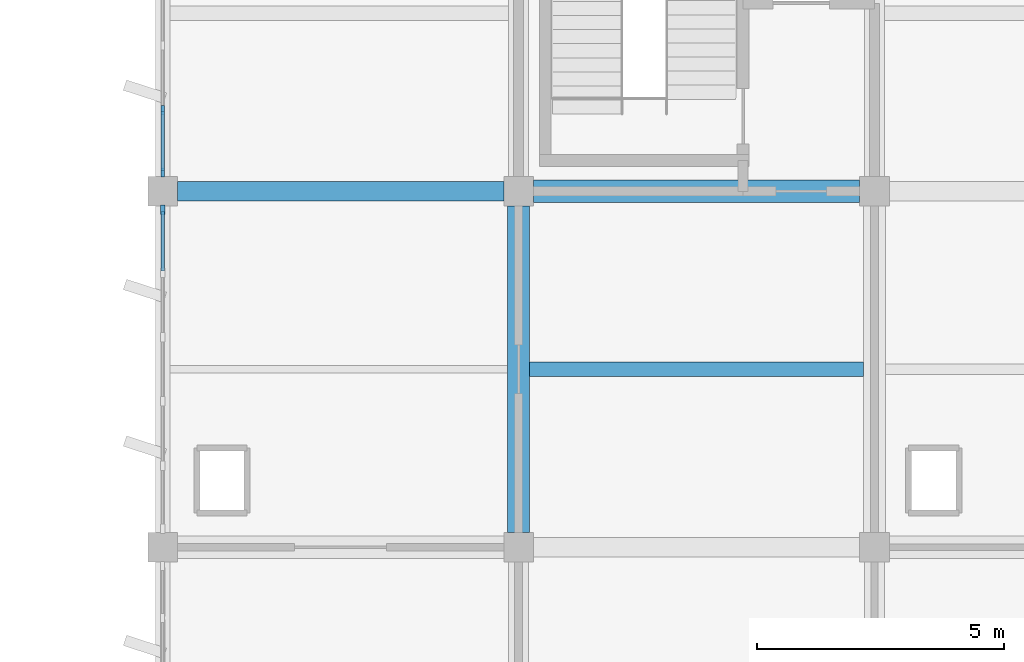
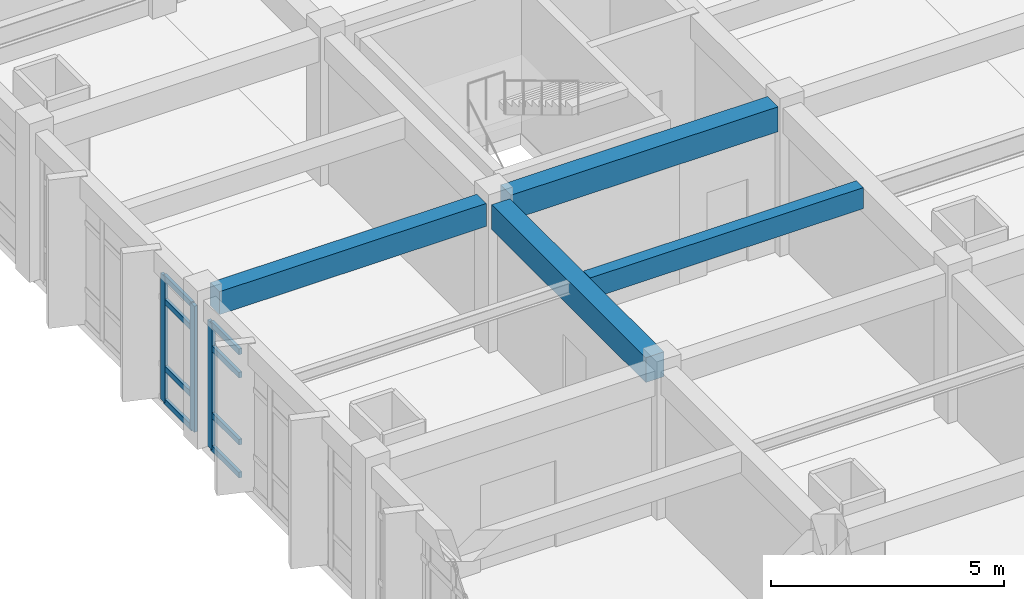
# One storey, part 18 of 62: 11 members, 4 beams, 2 elements without a shape of their own.
"""IFC4 building model written with IfcOpenShell, lengths in metres."""

from ifc_helpers import new_model, si_unit, direction, frame, origin, origin_2d, place, context, subcontext, project, spatial, rectangle, extrude, material, layer, layer_set, material_profile, profile_set, type_object, element, aggregate, save


model = new_model("IFC4")

# Units and contexts
model_context = context("Model", 3, precision=1e-05, world=origin(), true_north=direction((0.0, 1.0)))
body_context = subcontext(model_context, "Body", "Model", "MODEL_VIEW")
ifc_project = project(units=[si_unit("LENGTHUNIT", "METRE"), si_unit("AREAUNIT", "SQUARE_METRE"), si_unit("VOLUMEUNIT", "CUBIC_METRE"), si_unit("PLANEANGLEUNIT", "RADIAN"), si_unit("MASSUNIT", "GRAM", prefix="KILO")], contexts=[model_context])

# Site, building, storey
site_placement = place(None, origin())
site = spatial("IfcSite", under=ifc_project, at=site_placement, CompositionType="ELEMENT")
building_placement = place(site_placement, origin())
building = spatial("IfcBuilding", under=site, at=building_placement, Name="Kavelor Marine Aquarium", CompositionType="ELEMENT")
storey_placement = place(building_placement, frame((0.0, 0.0, 13.5)))
storey = spatial("IfcBuildingStorey", under=building, at=storey_placement, Name="L03", CompositionType="ELEMENT", Elevation=13.5)

# Beams
ifc_material_1 = material(Name="Concrete C40/50", Category="concrete")
ifc_material_profile_1 = material_profile(ifc_material_1, rectangle(XDim=0.449951171875, YDim=0.64990234375, at=origin_2d()), Name="RC-BM 450x650")
ifc_profile_set_1 = profile_set([ifc_material_profile_1], Name="Concrete C40/50")
beam_type_1 = type_object("IfcBeamType", Name="BM-B3", PredefinedType="BEAM", material=ifc_profile_set_1)
for number, where, z_axis, x_axis, name in (
    (1, (125.89990234375, 96.39990234375, 3.554931640625), (1.0, 0.0, 0.0), (0.0, 1.0, 0.0), "bm:x:L03:L04:17_13"),
    (2, (125.60009765625, 89.5, 3.534912109375), (0.0, 1.0, 0.0), (-1.0, 0.0, 0.0), "bm:y:L03:L04:17_12"),
):
    element("IfcBeam", number, at=place(storey_placement, frame(where, z_axis=z_axis, x_axis=x_axis)), inside=storey, type_object=beam_type_1, Name=name, PredefinedType="BEAM", context=body_context, shape_type="SweptSolid", body=[
        extrude(rectangle(XDim=0.449951171875, YDim=0.64990234375, at=origin_2d()), origin(), (0.0, 0.0, 1.0), 6.60009765625),
    ])
ifc_material_2 = material(Name="Concrete C40/50", Category="concrete")
ifc_material_profile_2 = material_profile(ifc_material_2, rectangle(XDim=0.39990234375, YDim=0.60009765625, at=origin_2d()), Name="RC-BM 400x600")
ifc_profile_set_2 = profile_set([ifc_material_profile_2], Name="Concrete C40/50")
beam_type_2 = type_object("IfcBeamType", Name="BM-B4", PredefinedType="BEAM", material=ifc_profile_set_2)
beam_1_placement = place(storey_placement, frame((118.699951171875, 96.39990234375, 3.56005859375), z_axis=(1.0, 0.0, 0.0), x_axis=(0.0, 1.0, 0.0)))
element("IfcBeam", 3, at=beam_1_placement, inside=storey, type_object=beam_type_2, Name="bm:x:L03:L04:16_13", PredefinedType="BEAM", context=body_context, shape_type="SweptSolid", body=[
    extrude(rectangle(XDim=0.39990234375, YDim=0.60009765625, at=origin_2d()), origin(), (0.0, 0.0, 1.0), 6.60009765625),
])
ifc_material_3 = material(Name="Concrete C40/50", Category="concrete")
ifc_material_profile_3 = material_profile(ifc_material_3, rectangle(XDim=0.300048828125, YDim=0.550048828125, at=origin_2d()), Name="RC-JS 300x550")
ifc_profile_set_3 = profile_set([ifc_material_profile_3], Name="Concrete C40/50")
beam_type_3 = type_object("IfcBeamType", Name="BM-JS2", PredefinedType="JOIST", material=ifc_profile_set_3)
beam_2_placement = place(storey_placement, frame((125.824951171875, 92.800048828125, 3.60498046875), z_axis=(1.0, 0.0, 0.0), x_axis=(0.0, 1.0, 0.0)))
element("IfcBeam", 4, at=beam_2_placement, inside=storey, type_object=beam_type_3, Name="js:L03:L04:17_12", PredefinedType="JOIST", context=body_context, shape_type="SweptSolid", body=[
    extrude(rectangle(XDim=0.300048828125, YDim=0.550048828125, at=origin_2d()), origin(), (0.0, 0.0, 1.0), 6.75),
])

# Curtain wall, members
ifc_material_4 = material(Name="Thermally Broken Aluminium and Low-E Glass", Category="aluminium")
ifc_layer_1 = layer(ifc_material_4, 0.196044921875)
ifc_layer_set_1 = layer_set([ifc_layer_1], Name="CW-SYS7")
curtain_wall_type_1 = type_object("IfcCurtainWallType", Name="CW-SYS7", PredefinedType="USERDEFINED", material=ifc_layer_set_1)
curtain_wall_1_placement = place(storey_placement, origin())
curtain_wall_1 = element("IfcCurtainWall", 5, at=curtain_wall_1_placement, inside=storey, type_object=curtain_wall_type_1, Name="cw:y:L03:16_13", ObjectType="Curtain Wall", PredefinedType="USERDEFINED")
ifc_material_5 = material(Name="Anodised Aluminium Alloy 6063-T6", Category="aluminium")
ifc_material_profile_4 = material_profile(ifc_material_5, rectangle(XDim=0.074951171875, YDim=0.179931640625, at=origin_2d()), Name="CW-MUL 75x180")
ifc_profile_set_4 = profile_set([ifc_material_profile_4], Name="Anodised Aluminium Alloy 6063-T6")
member_type_1 = type_object("IfcMemberType", Name="CWM-1", PredefinedType="MULLION", material=ifc_profile_set_4)
member_1_placement = place(storey_placement, frame((118.39990234375, 98.047119140625, 0.0), z_axis=(0.0, 0.0, 1.0), x_axis=(1.0, 0.0, 0.0)))
member_1 = element("IfcMember", 6, at=member_1_placement, type_object=member_type_1, Name="CW07 mullion 5", PredefinedType="MULLION", context=body_context, shape_type="SweptSolid", body=[
    extrude(rectangle(XDim=0.074951171875, YDim=0.179931640625, at=origin_2d()), origin(), (0.0, 0.0, 1.0), 3.300048828125),
])
member_2_placement = place(storey_placement, frame((118.39990234375, 96.782470703125, 0.0), z_axis=(0.0, 0.0, 1.0), x_axis=(1.0, 0.0, 0.0)))
member_2 = element("IfcMember", 7, at=member_2_placement, type_object=member_type_1, Name="CW07 mullion 6", PredefinedType="MULLION", context=body_context, shape_type="SweptSolid", body=[
    extrude(rectangle(XDim=0.074951171875, YDim=0.179931640625, at=origin_2d()), origin(), (0.0, 0.0, 1.0), 3.300048828125),
])

ifc_material_6 = material(Name="Thermally Broken Aluminium and Low-E Glass", Category="aluminium")
ifc_layer_2 = layer(ifc_material_6, 0.18798828125)
ifc_layer_set_2 = layer_set([ifc_layer_2], Name="CW-SYS6")
curtain_wall_type_2 = type_object("IfcCurtainWallType", Name="CW-SYS6", PredefinedType="USERDEFINED", material=ifc_layer_set_2)
curtain_wall_2_placement = place(storey_placement, origin())
curtain_wall_2 = element("IfcCurtainWall", 8, at=curtain_wall_2_placement, inside=storey, type_object=curtain_wall_type_2, Name="cw:y:L03:16_12", ObjectType="Curtain Wall", PredefinedType="USERDEFINED")
ifc_material_7 = material(Name="Anodised Aluminium Alloy 6063-T6", Category="aluminium")
ifc_material_profile_5 = material_profile(ifc_material_7, rectangle(XDim=0.0849609375, YDim=0.18994140625, at=origin_2d()), Name="CW-MUL 85x190")
ifc_profile_set_5 = profile_set([ifc_material_profile_5], Name="Anodised Aluminium Alloy 6063-T6")
member_type_2 = type_object("IfcMemberType", Name="CWM-3", PredefinedType="MULLION", material=ifc_profile_set_5)
member_3_placement = place(storey_placement, frame((118.39990234375, 96.02490234375, 0.0), z_axis=(0.0, 0.0, 1.0), x_axis=(1.0, 0.0, 0.0)))
member_3 = element("IfcMember", 9, at=member_3_placement, type_object=member_type_2, Name="CW06 mullion 1", PredefinedType="MULLION", context=body_context, shape_type="SweptSolid", body=[
    extrude(rectangle(XDim=0.0849609375, YDim=0.18994140625, at=origin_2d()), origin(), (0.0, 0.0, 1.0), 3.300048828125),
])
ifc_material_8 = material(Name="Anodised Aluminium Alloy 6063-T6", Category="aluminium")
ifc_material_profile_6 = material_profile(ifc_material_8, rectangle(XDim=0.074951171875, YDim=0.14990234375, at=origin_2d()), Name="CW-TRN 75x150")
ifc_profile_set_6 = profile_set([ifc_material_profile_6], Name="Anodised Aluminium Alloy 6063-T6")
member_type_3 = type_object("IfcMemberType", Name="CWT-1", PredefinedType="USERDEFINED", material=ifc_profile_set_6)
member_4_placement = place(storey_placement, frame((118.39990234375, 95.9951171875, 0.03759765625), z_axis=(0.0, -1.0, 0.0), x_axis=(1.0, 0.0, 0.0)))
member_4 = element("IfcMember", 10, at=member_4_placement, type_object=member_type_3, Name="CW06 transom 1.1", ObjectType="TRANSOM", PredefinedType="USERDEFINED", context=body_context, shape_type="SweptSolid", body=[
    extrude(rectangle(XDim=0.074951171875, YDim=0.14990234375, at=origin_2d()), origin(), (0.0, 0.0, 1.0), 1.212158203125),
])
member_5_placement = place(storey_placement, frame((118.39990234375, 95.9951171875, 0.89990234375), z_axis=(0.0, -1.0, 0.0), x_axis=(1.0, 0.0, 0.0)))
member_5 = element("IfcMember", 11, at=member_5_placement, type_object=member_type_3, Name="CW06 transom 1.2", ObjectType="TRANSOM", PredefinedType="USERDEFINED", context=body_context, shape_type="SweptSolid", body=[
    extrude(rectangle(XDim=0.074951171875, YDim=0.14990234375, at=origin_2d()), origin(), (0.0, 0.0, 1.0), 1.212158203125),
])
member_6_placement = place(storey_placement, frame((118.39990234375, 95.9951171875, 2.64990234375), z_axis=(0.0, -1.0, 0.0), x_axis=(1.0, 0.0, 0.0)))
member_6 = element("IfcMember", 12, at=member_6_placement, type_object=member_type_3, Name="CW06 transom 1.3", ObjectType="TRANSOM", PredefinedType="USERDEFINED", context=body_context, shape_type="SweptSolid", body=[
    extrude(rectangle(XDim=0.074951171875, YDim=0.14990234375, at=origin_2d()), origin(), (0.0, 0.0, 1.0), 1.212158203125),
])
member_7_placement = place(storey_placement, frame((118.39990234375, 95.9951171875, 3.262451171875), z_axis=(0.0, -1.0, 0.0), x_axis=(1.0, 0.0, 0.0)))
member_7 = element("IfcMember", 13, at=member_7_placement, type_object=member_type_3, Name="CW06 transom 1.4", ObjectType="TRANSOM", PredefinedType="USERDEFINED", context=body_context, shape_type="SweptSolid", body=[
    extrude(rectangle(XDim=0.074951171875, YDim=0.14990234375, at=origin_2d()), origin(), (0.0, 0.0, 1.0), 1.212158203125),
])
aggregate(curtain_wall_2, [member_3, member_4, member_5, member_6, member_7])

# Member
member_8_placement = place(storey_placement, frame((118.39990234375, 98.009521484375, 0.03759765625), z_axis=(0.0, -1.0, 0.0), x_axis=(1.0, 0.0, 0.0)))
member_8 = element("IfcMember", 14, at=member_8_placement, type_object=member_type_3, Name="CW07 transom 5.1", ObjectType="TRANSOM", PredefinedType="USERDEFINED", context=body_context, shape_type="SweptSolid", body=[
    extrude(rectangle(XDim=0.074951171875, YDim=0.14990234375, at=origin_2d()), origin(), (0.0, 0.0, 1.0), 1.189453125),
])

member_9_placement = place(storey_placement, frame((118.39990234375, 98.009521484375, 0.89990234375), z_axis=(0.0, -1.0, 0.0), x_axis=(1.0, 0.0, 0.0)))
member_9 = element("IfcMember", 15, at=member_9_placement, type_object=member_type_3, Name="CW07 transom 5.2", ObjectType="TRANSOM", PredefinedType="USERDEFINED", context=body_context, shape_type="SweptSolid", body=[
    extrude(rectangle(XDim=0.074951171875, YDim=0.14990234375, at=origin_2d()), origin(), (0.0, 0.0, 1.0), 1.189453125),
])

member_10_placement = place(storey_placement, frame((118.39990234375, 98.009521484375, 2.64990234375), z_axis=(0.0, -1.0, 0.0), x_axis=(1.0, 0.0, 0.0)))
member_10 = element("IfcMember", 16, at=member_10_placement, type_object=member_type_3, Name="CW07 transom 5.3", ObjectType="TRANSOM", PredefinedType="USERDEFINED", context=body_context, shape_type="SweptSolid", body=[
    extrude(rectangle(XDim=0.074951171875, YDim=0.14990234375, at=origin_2d()), origin(), (0.0, 0.0, 1.0), 1.189453125),
])

member_11_placement = place(storey_placement, frame((118.39990234375, 98.009521484375, 3.262451171875), z_axis=(0.0, -1.0, 0.0), x_axis=(1.0, 0.0, 0.0)))
member_11 = element("IfcMember", 17, at=member_11_placement, type_object=member_type_3, Name="CW07 transom 5.4", ObjectType="TRANSOM", PredefinedType="USERDEFINED", context=body_context, shape_type="SweptSolid", body=[
    extrude(rectangle(XDim=0.074951171875, YDim=0.14990234375, at=origin_2d()), origin(), (0.0, 0.0, 1.0), 1.189453125),
])

aggregate(curtain_wall_1, [member_1, member_2, member_8, member_9, member_10, member_11])

save(model, "model.ifc")
